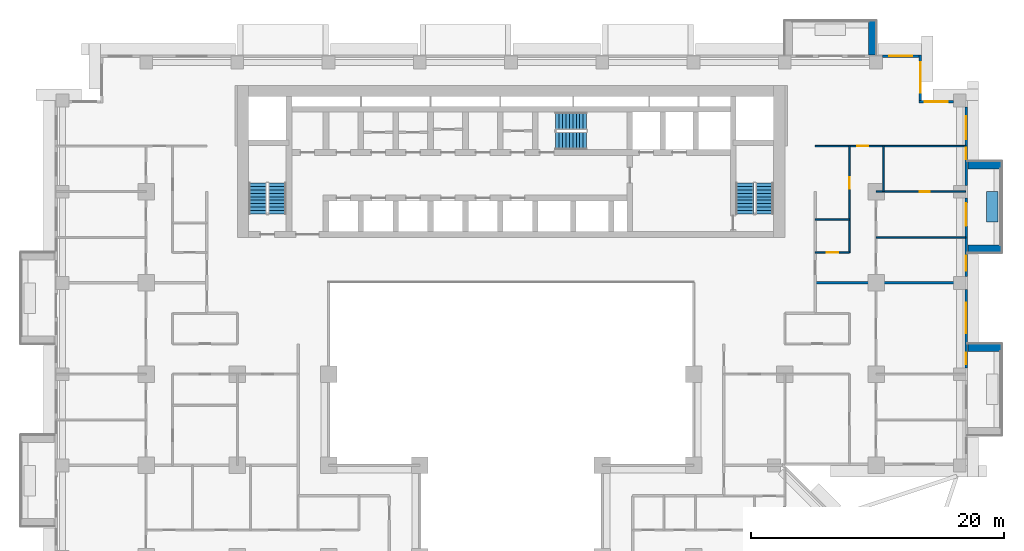
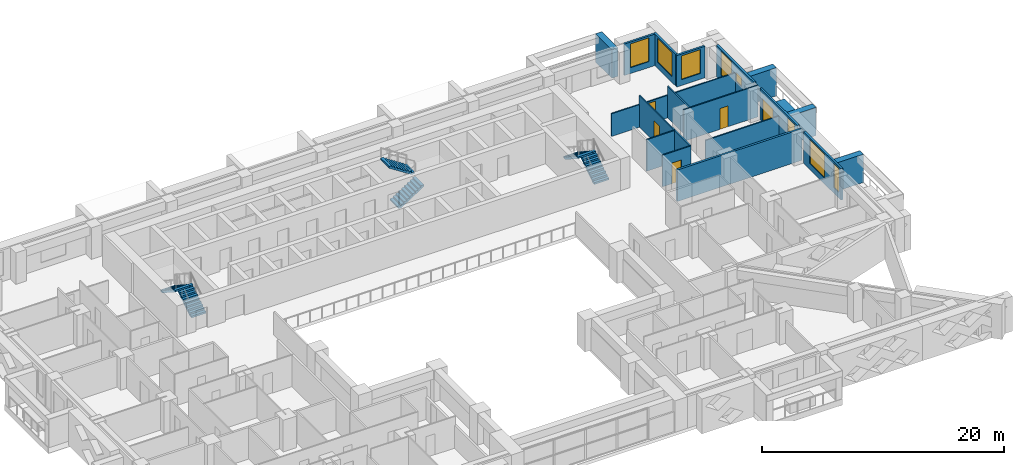
# One storey, part 12 of 16: 19 walls, 8 windows, 6 stair flights, 5 doors, 13 openings, 3 elements without a shape of their own.
"""IFC4 building model written with IfcOpenShell, lengths in metres."""

from ifc_helpers import new_model, si_unit, direction, frame, frame_2d, origin, place, context, subcontext, project, spatial, polyline, rectangle, outline, extrude, material, layer, layer_set, type_object, element, fill, aggregate, save


model = new_model("IFC4")

# Units and contexts
model_context = context("Model", 3, precision=1e-05, world=origin(), true_north=direction((0.0, 1.0)))
body_context = subcontext(model_context, "Body", "Model", "MODEL_VIEW")
ifc_project = project(units=[si_unit("LENGTHUNIT", "METRE"), si_unit("AREAUNIT", "SQUARE_METRE"), si_unit("VOLUMEUNIT", "CUBIC_METRE"), si_unit("PLANEANGLEUNIT", "RADIAN"), si_unit("MASSUNIT", "GRAM", prefix="KILO")], contexts=[model_context])

# Site, building, storey
site_placement = place(None, origin())
site = spatial("IfcSite", under=ifc_project, at=site_placement, CompositionType="ELEMENT")
building_placement = place(site_placement, origin())
building = spatial("IfcBuilding", under=site, at=building_placement, Name="Saffron Iwan Residences", CompositionType="ELEMENT")
storey_placement = place(building_placement, frame((0.0, 0.0, 65.5)))
storey = spatial("IfcBuildingStorey", under=building, at=storey_placement, Name="L16", CompositionType="ELEMENT", Elevation=65.5)

# Walls
ifc_material_1 = material(Name="Concrete C50/60 white painted", Category="concrete")
ifc_layer_1 = layer(ifc_material_1, 0.60009765625)
ifc_layer_set_1 = layer_set([ifc_layer_1], Name="Concrete C50/60 white painted")
wall_type_1 = type_object("IfcWallType", Name="BALCONY FIN 600", PredefinedType="SOLIDWALL", material=ifc_layer_set_1)
for number, where, z_axis, x_axis, name in (
    (1, (86.449951171875, 57.300048828125, 0.0), (0.0, 0.0, 1.0), (1.0, 0.0, 0.0), "Balcony fin L16 F2-0b"),
    (2, (86.449951171875, 65.10009765625, 0.0), (0.0, 0.0, 1.0), (1.0, 0.0, 0.0), "Balcony fin L16 F2-1a"),
    (3, (86.449951171875, 71.699951171875, 0.0), (0.0, 0.0, 1.0), (1.0, 0.0, 0.0), "Balcony fin L16 F2-1b"),
):
    element("IfcWall", number, at=place(storey_placement, frame(where, z_axis=z_axis, x_axis=x_axis)), inside=storey, type_object=wall_type_1, Name=name, PredefinedType="SOLIDWALL", context=body_context, shape_type="SweptSolid", body=[
        extrude(rectangle(XDim=2.650146484375, YDim=0.60009765625, at=frame_2d((1.3251953125, 0.0))), origin(), (0.0, 0.0, 1.0), 2.85009765625),
    ])
wall_1_placement = place(storey_placement, frame((78.89990234375, 80.39990234375, 0.0), z_axis=(0.0, 0.0, 1.0), x_axis=(0.0, 1.0, 0.0)))
element("IfcWall", 4, at=wall_1_placement, inside=storey, type_object=wall_type_1, Name="Balcony fin L16 F5-0a", PredefinedType="SOLIDWALL", context=body_context, shape_type="SweptSolid", body=[
    extrude(rectangle(XDim=2.7001953125, YDim=0.60009765625, at=frame_2d((1.35009765625, 0.0))), origin(), (0.0, 0.0, 1.0), 2.85009765625),
])
ifc_material_2 = material(Name="Concrete C35/45 white painted", Category="concrete")
ifc_layer_2 = layer(ifc_material_2, 0.14990234375)
ifc_layer_set_2 = layer_set([ifc_layer_2], Name="Concrete C35/45 white painted")
wall_type_2 = type_object("IfcWallType", Name="BALCONY PLANTER", PredefinedType="SOLIDWALL", material=ifc_layer_set_2)
wall_2_placement = place(storey_placement, frame((88.375, 67.199951171875, 0.0), z_axis=(0.0, 0.0, 1.0), x_axis=(0.0, 1.0, 0.0)))
element("IfcWall", 5, at=wall_2_placement, inside=storey, type_object=wall_type_2, Name="PLANTER L16 F2-1", PredefinedType="SOLIDWALL", context=body_context, shape_type="SweptSolid", body=[
    extrude(rectangle(XDim=2.400146484375, YDim=0.89990234375, at=frame_2d((1.2001953125, 0.0))), origin(), (0.0, 0.0, 1.0), 0.89990234375),
])

# Wall, openings, windows
ifc_material_3 = material(Name="Concrete C40/50", Category="concrete")
ifc_layer_3 = layer(ifc_material_3, 0.199951171875)
ifc_layer_set_3 = layer_set([ifc_layer_3], Name="Concrete C40/50")
wall_type_3 = type_object("IfcWallType", Name="EXTERNAL WALL 200", PredefinedType="SOLIDWALL", material=ifc_layer_set_3)
wall_3_placement = place(storey_placement, frame((86.300048828125, 55.699951171875, 0.0), z_axis=(0.0, 0.0, 1.0), x_axis=(0.0, 1.0, 0.0)))
wall_3 = element("IfcWall", 6, at=wall_3_placement, inside=storey, type_object=wall_type_3, Name="External wall L16 F2.1", PredefinedType="SOLIDWALL", context=body_context, shape_type="SweptSolid", body=[
    extrude(rectangle(XDim=6.199951171875, YDim=0.199951171875, at=frame_2d((3.10009765625, 0.0))), origin(), (0.0, 0.0, 1.0), 3.179931640625),
])
opening_1_placement = place(wall_3_placement, frame((0.300048828125, 0.0, 0.60009765625)))
opening_1 = element("IfcOpeningElement", 7, at=opening_1_placement, cuts=wall_3, Name="Opening W10", PredefinedType="OPENING", context=body_context, shape_type="SweptSolid", body=[
    extrude(rectangle(XDim=0.89990234375, YDim=2.39990234375, at=frame_2d((0.449951171875, 1.199951171875))), frame((0.0, 0.10986328125, 0.0), z_axis=(0.0, -1.0, 0.0), x_axis=(1.0, 0.0, 0.0)), (0.0, 0.0, 1.0), 0.219970703125),
])
opening_2_placement = place(wall_3_placement, frame((2.75, 0.0, 0.60009765625)))
opening_2 = element("IfcOpeningElement", 8, at=opening_2_placement, cuts=wall_3, Name="Opening W1", PredefinedType="OPENING", context=body_context, shape_type="SweptSolid", body=[
    extrude(rectangle(XDim=2.39990234375, YDim=2.39990234375, at=frame_2d((1.199951171875, 1.199951171875))), frame((0.0, 0.10986328125, 0.0), z_axis=(0.0, -1.0, 0.0), x_axis=(1.0, 0.0, 0.0)), (0.0, 0.0, 1.0), 0.219970703125),
])
ifc_material_4 = material(Name="Clear glass, laminated double glazed", Category="glass")
window_type_1 = type_object("IfcWindowType", Name="WINDOW 2400 x 2400", PartitioningType="DOUBLE_PANEL_VERTICAL", PredefinedType="WINDOW", material=ifc_material_4)
window_1_placement = place(opening_2_placement, origin())
window_1 = element("IfcWindow", 9, at=window_1_placement, inside=storey, type_object=window_type_1, Name="Window L16 F2.1", OverallHeight=2.39990234375, OverallWidth=2.39990234375, PartitioningType="DOUBLE_PANEL_VERTICAL", PredefinedType="WINDOW", context=body_context, shape_type="SweptSolid", body=[
    extrude(rectangle(XDim=2.39990234375, YDim=2.39990234375, at=frame_2d((1.199951171875, 1.199951171875))), frame((0.0, 0.030029296875, 0.0), z_axis=(0.0, -1.0, 0.0), x_axis=(1.0, 0.0, 0.0)), (0.0, 0.0, 1.0), 0.06005859375),
])
fill(opening_2, window_1)
window_type_2 = type_object("IfcWindowType", Name="WINDOW 900 x 2400", PartitioningType="SINGLE_PANEL", PredefinedType="WINDOW", material=ifc_material_4)
window_2_placement = place(opening_1_placement, origin())
window_2 = element("IfcWindow", 10, at=window_2_placement, inside=storey, type_object=window_type_2, Name="Window L16 F2.0", OverallHeight=2.39990234375, OverallWidth=0.89990234375, PartitioningType="SINGLE_PANEL", PredefinedType="WINDOW", context=body_context, shape_type="SweptSolid", body=[
    extrude(rectangle(XDim=0.89990234375, YDim=2.39990234375, at=frame_2d((0.449951171875, 1.199951171875))), frame((0.0, 0.030029296875, 0.0), z_axis=(0.0, -1.0, 0.0), x_axis=(1.0, 0.0, 0.0)), (0.0, 0.0, 1.0), 0.06005859375),
])
fill(opening_1, window_2)

# Wall, openings, door, window
wall_4_placement = place(storey_placement, frame((86.300048828125, 62.89990234375, 0.0), z_axis=(0.0, 0.0, 1.0), x_axis=(0.0, 1.0, 0.0)))
wall_4 = element("IfcWall", 11, at=wall_4_placement, inside=storey, type_object=wall_type_3, Name="External wall L16 F2.2", PredefinedType="SOLIDWALL", context=body_context, shape_type="SweptSolid", body=[
    extrude(rectangle(XDim=6.2001953125, YDim=0.199951171875, at=frame_2d((3.10009765625, 0.0))), origin(), (0.0, 0.0, 1.0), 3.179931640625),
])
opening_3_placement = place(wall_4_placement, frame((4.0, 0.0, 0.0)))
opening_3 = element("IfcOpeningElement", 12, at=opening_3_placement, cuts=wall_4, Name="Opening BD1", PredefinedType="OPENING", context=body_context, shape_type="SweptSolid", body=[
    extrude(rectangle(XDim=1.800048828125, YDim=2.39990234375, at=frame_2d((0.89990234375, 1.199951171875))), frame((0.0, 0.10986328125, 0.0), z_axis=(0.0, -1.0, 0.0), x_axis=(1.0, 0.0, 0.0)), (0.0, 0.0, 1.0), 0.219970703125),
])
opening_4_placement = place(wall_4_placement, frame((0.449951171875, 0.0, 0.60009765625)))
opening_4 = element("IfcOpeningElement", 13, at=opening_4_placement, cuts=wall_4, Name="Opening W3", PredefinedType="OPENING", context=body_context, shape_type="SweptSolid", body=[
    extrude(rectangle(XDim=1.199951171875, YDim=2.39990234375, at=frame_2d((0.60009765625, 1.199951171875))), frame((0.0, 0.10986328125, 0.0), z_axis=(0.0, -1.0, 0.0), x_axis=(1.0, 0.0, 0.0)), (0.0, 0.0, 1.0), 0.219970703125),
])
door_type_1 = type_object("IfcDoorType", Name="BALCONY DOOR 1800 x 2400", OperationType="DOUBLE_DOOR_SLIDING", PredefinedType="DOOR", material=ifc_material_4)
door_1_placement = place(opening_3_placement, origin())
door_1 = element("IfcDoor", 14, at=door_1_placement, inside=storey, type_object=door_type_1, Name="Balcony door L16 F2.0", OperationType="DOUBLE_DOOR_SLIDING", OverallHeight=2.39990234375, OverallWidth=1.800048828125, PredefinedType="DOOR", context=body_context, shape_type="SweptSolid", body=[
    extrude(rectangle(XDim=1.800048828125, YDim=2.39990234375, at=frame_2d((0.89990234375, 1.199951171875))), frame((0.0, 0.02490234375, 0.0), z_axis=(0.0, -1.0, 0.0), x_axis=(1.0, 0.0, 0.0)), (0.0, 0.0, 1.0), 0.050048828125),
])
fill(opening_3, door_1)
window_type_3 = type_object("IfcWindowType", Name="WINDOW 1200 x 2400", PartitioningType="SINGLE_PANEL", PredefinedType="WINDOW", material=ifc_material_4)
window_3_placement = place(opening_4_placement, origin())
window_3 = element("IfcWindow", 15, at=window_3_placement, inside=storey, type_object=window_type_3, Name="Window L16 F2.1", OverallHeight=2.39990234375, OverallWidth=1.199951171875, PartitioningType="SINGLE_PANEL", PredefinedType="WINDOW", context=body_context, shape_type="SweptSolid", body=[
    extrude(rectangle(XDim=1.199951171875, YDim=2.39990234375, at=frame_2d((0.60009765625, 1.199951171875))), frame((0.0, 0.030029296875, 0.0), z_axis=(0.0, -1.0, 0.0), x_axis=(1.0, 0.0, 0.0)), (0.0, 0.0, 1.0), 0.06005859375),
])
fill(opening_4, window_3)

# Wall, openings, windows
wall_5_placement = place(storey_placement, frame((86.300048828125, 70.10009765625, 0.0), z_axis=(0.0, 0.0, 1.0), x_axis=(0.0, 1.0, 0.0)))
wall_5 = element("IfcWall", 16, at=wall_5_placement, inside=storey, type_object=wall_type_3, Name="External wall L16 F2.3", PredefinedType="SOLIDWALL", context=body_context, shape_type="SweptSolid", body=[
    extrude(rectangle(XDim=6.199951171875, YDim=0.199951171875, at=frame_2d((3.10009765625, 0.0))), origin(), (0.0, 0.0, 1.0), 3.179931640625),
])
opening_5_placement = place(wall_5_placement, frame((2.050048828125, 0.0, 1.5)))
opening_5 = element("IfcOpeningElement", 17, at=opening_5_placement, cuts=wall_5, Name="Opening W6", PredefinedType="OPENING", context=body_context, shape_type="SweptSolid", body=[
    extrude(rectangle(XDim=0.89990234375, YDim=0.89990234375, at=frame_2d((0.449951171875, 0.449951171875))), frame((0.0, 0.10986328125, 0.0), z_axis=(0.0, -1.0, 0.0), x_axis=(1.0, 0.0, 0.0)), (0.0, 0.0, 1.0), 0.219970703125),
])
opening_6_placement = place(wall_5_placement, frame((3.64990234375, 0.0, 0.60009765625)))
opening_6 = element("IfcOpeningElement", 18, at=opening_6_placement, cuts=wall_5, Name="Opening W8", PredefinedType="OPENING", context=body_context, shape_type="SweptSolid", body=[
    extrude(rectangle(XDim=1.800048828125, YDim=2.39990234375, at=frame_2d((0.89990234375, 1.199951171875))), frame((0.0, 0.10986328125, 0.0), z_axis=(0.0, -1.0, 0.0), x_axis=(1.0, 0.0, 0.0)), (0.0, 0.0, 1.0), 0.219970703125),
])
window_type_4 = type_object("IfcWindowType", Name="WINDOW 1800 x 2400", PartitioningType="DOUBLE_PANEL_VERTICAL", PredefinedType="WINDOW", material=ifc_material_4)
window_4_placement = place(opening_6_placement, origin())
window_4 = element("IfcWindow", 19, at=window_4_placement, inside=storey, type_object=window_type_4, Name="Window L16 F2.1", OverallHeight=2.39990234375, OverallWidth=1.800048828125, PartitioningType="DOUBLE_PANEL_VERTICAL", PredefinedType="WINDOW", context=body_context, shape_type="SweptSolid", body=[
    extrude(rectangle(XDim=1.800048828125, YDim=2.39990234375, at=frame_2d((0.89990234375, 1.199951171875))), frame((0.0, 0.030029296875, 0.0), z_axis=(0.0, -1.0, 0.0), x_axis=(1.0, 0.0, 0.0)), (0.0, 0.0, 1.0), 0.06005859375),
])
fill(opening_6, window_4)
window_type_5 = type_object("IfcWindowType", Name="WINDOW 900 x 900 BATH", PartitioningType="SINGLE_PANEL", PredefinedType="WINDOW", material=ifc_material_4)
window_5_placement = place(opening_5_placement, origin())
window_5 = element("IfcWindow", 20, at=window_5_placement, inside=storey, type_object=window_type_5, Name="Window L16 F2.0", OverallHeight=0.89990234375, OverallWidth=0.89990234375, PartitioningType="SINGLE_PANEL", PredefinedType="WINDOW", context=body_context, shape_type="SweptSolid", body=[
    extrude(rectangle(XDim=0.89990234375, YDim=0.89990234375, at=frame_2d((0.449951171875, 0.449951171875))), frame((0.0, 0.030029296875, 0.0), z_axis=(0.0, -1.0, 0.0), x_axis=(1.0, 0.0, 0.0)), (0.0, 0.0, 1.0), 0.06005859375),
])
fill(opening_5, window_5)

# Wall, opening, window
wall_6_placement = place(storey_placement, frame((85.300048828125, 76.699951171875, 0.0), z_axis=(0.0, 0.0, 1.0), x_axis=(-1.0, 0.0, 0.0)))
wall_6 = element("IfcWall", 21, at=wall_6_placement, inside=storey, type_object=wall_type_3, Name="External wall L16 F3.0", PredefinedType="SOLIDWALL", context=body_context, shape_type="SweptSolid", body=[
    extrude(rectangle(XDim=2.699951171875, YDim=0.199951171875, at=frame_2d((1.35009765625, 0.0))), origin(), (0.0, 0.0, 1.0), 3.179931640625),
])
opening_7_placement = place(wall_6_placement, frame((0.449951171875, 0.0, 0.60009765625)))
opening_7 = element("IfcOpeningElement", 22, at=opening_7_placement, cuts=wall_6, Name="Opening W8", PredefinedType="OPENING", context=body_context, shape_type="SweptSolid", body=[
    extrude(rectangle(XDim=1.800048828125, YDim=2.39990234375, at=frame_2d((0.89990234375, 1.199951171875))), frame((0.0, 0.10986328125, 0.0), z_axis=(0.0, -1.0, 0.0), x_axis=(1.0, 0.0, 0.0)), (0.0, 0.0, 1.0), 0.219970703125),
])
window_6_placement = place(opening_7_placement, origin())
window_6 = element("IfcWindow", 23, at=window_6_placement, inside=storey, type_object=window_type_4, Name="Window L16 F3.0", OverallHeight=2.39990234375, OverallWidth=1.800048828125, PartitioningType="DOUBLE_PANEL_VERTICAL", PredefinedType="WINDOW", context=body_context, shape_type="SweptSolid", body=[
    extrude(rectangle(XDim=1.800048828125, YDim=2.39990234375, at=frame_2d((0.89990234375, 1.199951171875))), frame((0.0, 0.030029296875, 0.0), z_axis=(0.0, -1.0, 0.0), x_axis=(1.0, 0.0, 0.0)), (0.0, 0.0, 1.0), 0.06005859375),
])
fill(opening_7, window_6)

wall_7_placement = place(storey_placement, frame((82.699951171875, 76.800048828125, 0.0), z_axis=(0.0, 0.0, 1.0), x_axis=(0.0, 1.0, 0.0)))
wall_7 = element("IfcWall", 24, at=wall_7_placement, inside=storey, type_object=wall_type_3, Name="External wall L16 F4.0", PredefinedType="SOLIDWALL", context=body_context, shape_type="SweptSolid", body=[
    extrude(rectangle(XDim=3.599853515625, YDim=0.199951171875, at=frame_2d((1.7998046875, 0.0))), origin(), (0.0, 0.0, 1.0), 3.179931640625),
])
opening_8_placement = place(wall_7_placement, frame((0.60009765625, 0.0, 0.60009765625)))
opening_8 = element("IfcOpeningElement", 25, at=opening_8_placement, cuts=wall_7, Name="Opening W1", PredefinedType="OPENING", context=body_context, shape_type="SweptSolid", body=[
    extrude(rectangle(XDim=2.39990234375, YDim=2.39990234375, at=frame_2d((1.199951171875, 1.199951171875))), frame((0.0, 0.10986328125, 0.0), z_axis=(0.0, -1.0, 0.0), x_axis=(1.0, 0.0, 0.0)), (0.0, 0.0, 1.0), 0.219970703125),
])
window_7_placement = place(opening_8_placement, origin())
window_7 = element("IfcWindow", 26, at=window_7_placement, inside=storey, type_object=window_type_1, Name="Window L16 F4.0", OverallHeight=2.39990234375, OverallWidth=2.39990234375, PartitioningType="DOUBLE_PANEL_VERTICAL", PredefinedType="WINDOW", context=body_context, shape_type="SweptSolid", body=[
    extrude(rectangle(XDim=2.39990234375, YDim=2.39990234375, at=frame_2d((1.199951171875, 1.199951171875))), frame((0.0, 0.030029296875, 0.0), z_axis=(0.0, -1.0, 0.0), x_axis=(1.0, 0.0, 0.0)), (0.0, 0.0, 1.0), 0.06005859375),
])
fill(opening_8, window_7)

wall_8_placement = place(storey_placement, frame((82.60009765625, 80.300048828125, 0.0), z_axis=(0.0, 0.0, 1.0), x_axis=(-1.0, 0.0, 0.0)))
wall_8 = element("IfcWall", 27, at=wall_8_placement, inside=storey, type_object=wall_type_3, Name="External wall L16 F5.0", PredefinedType="SOLIDWALL", context=body_context, shape_type="SweptSolid", body=[
    extrude(rectangle(XDim=2.900146484375, YDim=0.199951171875, at=frame_2d((1.4501953125, 0.0))), origin(), (0.0, 0.0, 1.0), 3.179931640625),
])
opening_9_placement = place(wall_8_placement, frame((0.550048828125, 0.0, 0.60009765625)))
opening_9 = element("IfcOpeningElement", 28, at=opening_9_placement, cuts=wall_8, Name="Opening W8", PredefinedType="OPENING", context=body_context, shape_type="SweptSolid", body=[
    extrude(rectangle(XDim=1.800048828125, YDim=2.39990234375, at=frame_2d((0.89990234375, 1.199951171875))), frame((0.0, 0.10986328125, 0.0), z_axis=(0.0, -1.0, 0.0), x_axis=(1.0, 0.0, 0.0)), (0.0, 0.0, 1.0), 0.219970703125),
])
window_8_placement = place(opening_9_placement, origin())
window_8 = element("IfcWindow", 29, at=window_8_placement, inside=storey, type_object=window_type_4, Name="Window L16 F5.0", OverallHeight=2.39990234375, OverallWidth=1.800048828125, PartitioningType="DOUBLE_PANEL_VERTICAL", PredefinedType="WINDOW", context=body_context, shape_type="SweptSolid", body=[
    extrude(rectangle(XDim=1.800048828125, YDim=2.39990234375, at=frame_2d((0.89990234375, 1.199951171875))), frame((0.0, 0.030029296875, 0.0), z_axis=(0.0, -1.0, 0.0), x_axis=(1.0, 0.0, 0.0)), (0.0, 0.0, 1.0), 0.06005859375),
])
fill(opening_9, window_8)

# Wall
ifc_material_5 = material(Name="Fire-rated gypsum board wall")
ifc_layer_4 = layer(ifc_material_5, 0.199951171875)
ifc_layer_set_4 = layer_set([ifc_layer_4], Name="Fire-rated gypsum board wall")
wall_type_4 = type_object("IfcWallType", Name="Flat demising wall 200", PredefinedType="SOLIDWALL", material=ifc_layer_set_4)
wall_9_placement = place(storey_placement, frame((74.39990234375, 62.39990234375, 0.0), z_axis=(0.0, 0.0, 1.0), x_axis=(1.0, 0.0, 0.0)))
element("IfcWall", 30, at=wall_9_placement, inside=storey, type_object=wall_type_4, Name="W-L16-DEMISE-h62.4-74.4", PredefinedType="SOLIDWALL", context=body_context, shape_type="SweptSolid", body=[
    extrude(rectangle(XDim=11.875, YDim=0.199951171875, at=frame_2d((5.9375, 0.0))), origin(), (0.0, 0.0, 1.0), 3.179931640625),
])

# Wall, opening, door
ifc_material_6 = material(Name="Gypsum board partition")
ifc_layer_5 = layer(ifc_material_6, 0.1201171875)
ifc_layer_set_5 = layer_set([ifc_layer_5], Name="Gypsum board partition")
wall_type_5 = type_object("IfcWallType", Name="Flat partition 120", PredefinedType="PARTITIONING", material=ifc_layer_set_5)
wall_10_placement = place(storey_placement, frame((74.39990234375, 64.800048828125, 0.0), z_axis=(0.0, 0.0, 1.0), x_axis=(1.0, 0.0, 0.0)))
wall_10 = element("IfcWall", 31, at=wall_10_placement, inside=storey, type_object=wall_type_5, Name="W-L16-PART-h64.8-74.4", PredefinedType="PARTITIONING", context=body_context, shape_type="SweptSolid", body=[
    extrude(rectangle(XDim=2.7001953125, YDim=0.1201171875, at=frame_2d((1.35009765625, 0.0))), origin(), (0.0, 0.0, 1.0), 3.179931640625),
])
opening_10_placement = place(wall_10_placement, frame((0.89990234375, 0.0, 0.0)))
opening_10 = element("IfcOpeningElement", 32, at=opening_10_placement, cuts=wall_10, Name="Opening FD2", PredefinedType="OPENING", context=body_context, shape_type="SweptSolid", body=[
    extrude(rectangle(XDim=0.89990234375, YDim=2.10009765625, at=frame_2d((0.449951171875, 1.050048828125))), frame((0.0, 0.070068359375, 0.0), z_axis=(0.0, -1.0, 0.0), x_axis=(1.0, 0.0, 0.0)), (0.0, 0.0, 1.0), 0.14013671875),
])
ifc_material_7 = material(Name="Timber door", Category="wood")
door_type_2 = type_object("IfcDoorType", Name="Flat door 900", OperationType="NOTDEFINED", PredefinedType="DOOR", material=ifc_material_7)
door_2_placement = place(opening_10_placement, origin())
door_2 = element("IfcDoor", 33, at=door_2_placement, inside=storey, type_object=door_type_2, Name="Door L16-039", OperationType="SINGLE_SWING_RIGHT", OverallHeight=2.10009765625, OverallWidth=0.89990234375, PredefinedType="DOOR", context=body_context, shape_type="SweptSolid", body=[
    extrude(rectangle(XDim=0.89990234375, YDim=2.10009765625, at=frame_2d((0.449951171875, 1.050048828125))), frame((0.0, 0.02490234375, 0.0), z_axis=(0.0, -1.0, 0.0), x_axis=(1.0, 0.0, 0.0)), (0.0, 0.0, 1.0), 0.050048828125),
])
fill(opening_10, door_2)

# Walls
wall_11_placement = place(storey_placement, frame((79.199951171875, 66.0, 0.0), z_axis=(0.0, 0.0, 1.0), x_axis=(1.0, 0.0, 0.0)))
element("IfcWall", 34, at=wall_11_placement, inside=storey, type_object=wall_type_5, Name="W-L16-PART-h66-79.2", PredefinedType="PARTITIONING", context=body_context, shape_type="SweptSolid", body=[
    extrude(rectangle(XDim=7.074951171875, YDim=0.1201171875, at=frame_2d((3.53759765625, 0.0))), origin(), (0.0, 0.0, 1.0), 2.280029296875),
])
wall_12_placement = place(storey_placement, frame((74.39990234375, 67.39990234375, 0.0), z_axis=(0.0, 0.0, 1.0), x_axis=(1.0, 0.0, 0.0)))
element("IfcWall", 35, at=wall_12_placement, inside=storey, type_object=wall_type_5, Name="W-L16-PART-h67.4-74.4", PredefinedType="PARTITIONING", context=body_context, shape_type="SweptSolid", body=[
    extrude(rectangle(XDim=2.7001953125, YDim=0.1201171875, at=frame_2d((1.35009765625, 0.0))), origin(), (0.0, 0.0, 1.0), 3.179931640625),
])

# Wall, opening, door
wall_13_placement = place(storey_placement, frame((79.199951171875, 69.60009765625, 0.0), z_axis=(0.0, 0.0, 1.0), x_axis=(1.0, 0.0, 0.0)))
wall_13 = element("IfcWall", 36, at=wall_13_placement, inside=storey, type_object=wall_type_5, Name="W-L16-PART-h69.6-79.2", PredefinedType="PARTITIONING", context=body_context, shape_type="SweptSolid", body=[
    extrude(rectangle(XDim=7.074951171875, YDim=0.1201171875, at=frame_2d((3.53759765625, 0.0))), origin(), (0.0, 0.0, 1.0), 3.179931640625),
])
opening_11_placement = place(wall_13_placement, frame((3.4375, 0.0, 0.0)))
opening_11 = element("IfcOpeningElement", 37, at=opening_11_placement, cuts=wall_13, Name="Opening FD3", PredefinedType="OPENING", context=body_context, shape_type="SweptSolid", body=[
    extrude(rectangle(XDim=0.800048828125, YDim=2.10009765625, at=frame_2d((0.39990234375, 1.050048828125))), frame((0.0, 0.070068359375, 0.0), z_axis=(0.0, -1.0, 0.0), x_axis=(1.0, 0.0, 0.0)), (0.0, 0.0, 1.0), 0.14013671875),
])
door_type_3 = type_object("IfcDoorType", Name="Bathroom door 800", OperationType="NOTDEFINED", PredefinedType="DOOR", material=ifc_material_7)
door_3_placement = place(opening_11_placement, origin())
door_3 = element("IfcDoor", 38, at=door_3_placement, inside=storey, type_object=door_type_3, Name="Door L16-037", OperationType="SINGLE_SWING_LEFT", OverallHeight=2.10009765625, OverallWidth=0.800048828125, PredefinedType="DOOR", context=body_context, shape_type="SweptSolid", body=[
    extrude(rectangle(XDim=0.800048828125, YDim=2.10009765625, at=frame_2d((0.39990234375, 1.050048828125))), frame((0.0, 0.02490234375, 0.0), z_axis=(0.0, -1.0, 0.0), x_axis=(1.0, 0.0, 0.0)), (0.0, 0.0, 1.0), 0.050048828125),
])
fill(opening_11, door_3)

wall_14_placement = place(storey_placement, frame((74.39990234375, 73.199951171875, 0.0), z_axis=(0.0, 0.0, 1.0), x_axis=(1.0, 0.0, 0.0)))
wall_14 = element("IfcWall", 39, at=wall_14_placement, inside=storey, type_object=wall_type_5, Name="W-L16-PART-h73.2-74.4", PredefinedType="PARTITIONING", context=body_context, shape_type="SweptSolid", body=[
    extrude(rectangle(XDim=11.875, YDim=0.1201171875, at=frame_2d((5.9375, 0.0))), origin(), (0.0, 0.0, 1.0), 2.280029296875),
])
opening_12_placement = place(wall_14_placement, frame((3.300048828125, 0.0, 0.0)))
opening_12 = element("IfcOpeningElement", 40, at=opening_12_placement, cuts=wall_14, Name="Opening FD2", PredefinedType="OPENING", context=body_context, shape_type="SweptSolid", body=[
    extrude(rectangle(XDim=0.89990234375, YDim=2.10009765625, at=frame_2d((0.449951171875, 1.050048828125))), frame((0.0, 0.070068359375, 0.0), z_axis=(0.0, -1.0, 0.0), x_axis=(1.0, 0.0, 0.0)), (0.0, 0.0, 1.0), 0.14013671875),
])
door_4_placement = place(opening_12_placement, origin())
door_4 = element("IfcDoor", 41, at=door_4_placement, inside=storey, type_object=door_type_2, Name="Door L16-038", OperationType="SINGLE_SWING_LEFT", OverallHeight=2.10009765625, OverallWidth=0.89990234375, PredefinedType="DOOR", context=body_context, shape_type="SweptSolid", body=[
    extrude(rectangle(XDim=0.89990234375, YDim=2.10009765625, at=frame_2d((0.449951171875, 1.050048828125))), frame((0.0, 0.02490234375, 0.0), z_axis=(0.0, -1.0, 0.0), x_axis=(1.0, 0.0, 0.0)), (0.0, 0.0, 1.0), 0.050048828125),
])
fill(opening_12, door_4)

wall_15_placement = place(storey_placement, frame((77.10009765625, 64.800048828125, 0.0), z_axis=(0.0, 0.0, 1.0), x_axis=(0.0, 1.0, 0.0)))
wall_15 = element("IfcWall", 42, at=wall_15_placement, inside=storey, type_object=wall_type_5, Name="W-L16-PART-v77.1-64.8", PredefinedType="PARTITIONING", context=body_context, shape_type="SweptSolid", body=[
    extrude(rectangle(XDim=8.39990234375, YDim=0.1201171875, at=frame_2d((4.199951171875, 0.0))), origin(), (0.0, 0.0, 1.0), 3.179931640625),
])
opening_13_placement = place(wall_15_placement, frame((5.050048828125, 0.0, 0.0)))
opening_13 = element("IfcOpeningElement", 43, at=opening_13_placement, cuts=wall_15, Name="Opening FD2", PredefinedType="OPENING", context=body_context, shape_type="SweptSolid", body=[
    extrude(rectangle(XDim=0.89990234375, YDim=2.10009765625, at=frame_2d((0.449951171875, 1.050048828125))), frame((0.0, 0.070068359375, 0.0), z_axis=(0.0, -1.0, 0.0), x_axis=(1.0, 0.0, 0.0)), (0.0, 0.0, 1.0), 0.14013671875),
])
door_5_placement = place(opening_13_placement, origin())
door_5 = element("IfcDoor", 44, at=door_5_placement, inside=storey, type_object=door_type_2, Name="Door L16-040", OperationType="SINGLE_SWING_LEFT", OverallHeight=2.10009765625, OverallWidth=0.89990234375, PredefinedType="DOOR", context=body_context, shape_type="SweptSolid", body=[
    extrude(rectangle(XDim=0.89990234375, YDim=2.10009765625, at=frame_2d((0.449951171875, 1.050048828125))), frame((0.0, 0.02490234375, 0.0), z_axis=(0.0, -1.0, 0.0), x_axis=(1.0, 0.0, 0.0)), (0.0, 0.0, 1.0), 0.050048828125),
])
fill(opening_13, door_5)

# Wall
wall_16_placement = place(storey_placement, frame((79.800048828125, 69.60009765625, 0.0), z_axis=(0.0, 0.0, 1.0), x_axis=(0.0, 1.0, 0.0)))
element("IfcWall", 45, at=wall_16_placement, inside=storey, type_object=wall_type_5, Name="W-L16-PART-v79.8-69.6", PredefinedType="PARTITIONING", context=body_context, shape_type="SweptSolid", body=[
    extrude(rectangle(XDim=3.599853515625, YDim=0.1201171875, at=frame_2d((1.7998046875, 0.0))), origin(), (0.0, 0.0, 1.0), 3.179931640625),
])

# Stair, stair flights
ifc_material_8 = material(Name="Concrete C50/60", Category="concrete")
stair_type = type_object("IfcStairType", Name="Stair ST-CORE", PredefinedType="HALF_TURN_STAIR", material=ifc_material_8)
stair_1_placement = place(storey_placement, origin())
stair_1 = element("IfcStair", 46, at=stair_1_placement, inside=storey, type_object=stair_type, Name="L16 Exit Stair ST-W", PredefinedType="HALF_TURN_STAIR")
ifc_layer_6 = layer(ifc_material_8, 0.14990234375)
ifc_layer_set_6 = layer_set([ifc_layer_6], Name="Concrete C50/60")
stair_flight_type = type_object("IfcStairFlightType", Name="Stair flight SFL-RC", PredefinedType="STRAIGHT", material=ifc_layer_set_6)
stair_flight_1_placement = place(storey_placement, frame((31.949951171875, 67.85009765625, 0.0), z_axis=(0.0, 0.0, 1.0), x_axis=(0.0, 1.0, 0.0)))
stair_flight_1 = element("IfcStairFlight", 47, at=stair_flight_1_placement, type_object=stair_flight_type, Name="ST-W flight 1", NumberOfRisers=10, NumberOfTreads=9, PredefinedType="STRAIGHT", RiserHeight=0.175, TreadLength=0.27, context=body_context, shape_type="SweptSolid", body=[
    extrude(outline(polyline([(0.0, 0.0), (0.0, 0.175048828125), (0.27001953125, 0.175048828125), (0.27001953125, 0.35009765625), (0.5400390625, 0.35009765625), (0.5400390625, 0.52490234375), (0.81005859375, 0.52490234375), (0.81005859375, 0.699951171875), (1.080078125, 0.699951171875), (1.080078125, 0.875), (1.35009765625, 0.875), (1.35009765625, 1.050048828125), (1.6201171875, 1.050048828125), (1.6201171875, 1.22509765625), (1.889892578125, 1.22509765625), (1.889892578125, 1.39990234375), (2.159912109375, 1.39990234375), (2.159912109375, 1.574951171875), (2.429931640625, 1.574951171875), (2.429931640625, 1.75), (2.429931640625, 1.396484375), (0.275634765625, 0.0), (0.0, 0.0)])), frame((0.0, 0.699951171875, 0.0), z_axis=(0.0, -1.0, 0.0), x_axis=(1.0, 0.0, 0.0)), (0.0, 0.0, 1.0), 1.39990234375),
])
stair_flight_2_placement = place(storey_placement, frame((30.39990234375, 70.280029296875, 1.75), z_axis=(0.0, 0.0, 1.0), x_axis=(0.0, -1.0, 0.0)))
stair_flight_2 = element("IfcStairFlight", 48, at=stair_flight_2_placement, type_object=stair_flight_type, Name="ST-W flight 2", NumberOfRisers=10, NumberOfTreads=9, PredefinedType="STRAIGHT", RiserHeight=0.175, TreadLength=0.27, context=body_context, shape_type="SweptSolid", body=[
    extrude(outline(polyline([(0.0, 0.0), (0.0, 0.175048828125), (0.27001953125, 0.175048828125), (0.27001953125, 0.35009765625), (0.5400390625, 0.35009765625), (0.5400390625, 0.52490234375), (0.81005859375, 0.52490234375), (0.81005859375, 0.699951171875), (1.080078125, 0.699951171875), (1.080078125, 0.875), (1.35009765625, 0.875), (1.35009765625, 1.050048828125), (1.6201171875, 1.050048828125), (1.6201171875, 1.22509765625), (1.889892578125, 1.22509765625), (1.889892578125, 1.39990234375), (2.159912109375, 1.39990234375), (2.159912109375, 1.574951171875), (2.429931640625, 1.574951171875), (2.429931640625, 1.75), (2.429931640625, 1.396484375), (0.275634765625, 0.0), (0.0, 0.0)])), frame((0.0, 0.699951171875, 0.0), z_axis=(0.0, -1.0, 0.0), x_axis=(1.0, 0.0, 0.0)), (0.0, 0.0, 1.0), 1.39990234375),
])
aggregate(stair_1, [stair_flight_1, stair_flight_2])

stair_2_placement = place(storey_placement, origin())
stair_2 = element("IfcStair", 49, at=stair_2_placement, inside=storey, type_object=stair_type, Name="L16 Exit Stair ST-C", PredefinedType="HALF_TURN_STAIR")
stair_flight_3_placement = place(storey_placement, frame((53.925048828125, 73.625, 0.0), z_axis=(0.0, 0.0, 1.0), x_axis=(1.0, 0.0, 0.0)))
stair_flight_3 = element("IfcStairFlight", 50, at=stair_flight_3_placement, type_object=stair_flight_type, Name="ST-C flight 1", NumberOfRisers=10, NumberOfTreads=9, PredefinedType="STRAIGHT", RiserHeight=0.175, TreadLength=0.27, context=body_context, shape_type="SweptSolid", body=[
    extrude(outline(polyline([(0.0, 0.0), (0.0, 0.175048828125), (0.27001953125, 0.175048828125), (0.27001953125, 0.35009765625), (0.5400390625, 0.35009765625), (0.5400390625, 0.52490234375), (0.81005859375, 0.52490234375), (0.81005859375, 0.699951171875), (1.080078125, 0.699951171875), (1.080078125, 0.875), (1.35009765625, 0.875), (1.35009765625, 1.050048828125), (1.6201171875, 1.050048828125), (1.6201171875, 1.22509765625), (1.889892578125, 1.22509765625), (1.889892578125, 1.39990234375), (2.159912109375, 1.39990234375), (2.159912109375, 1.574951171875), (2.429931640625, 1.574951171875), (2.429931640625, 1.75), (2.429931640625, 1.396484375), (0.275634765625, 0.0), (0.0, 0.0)])), frame((0.0, 0.699951171875, 0.0), z_axis=(0.0, -1.0, 0.0), x_axis=(1.0, 0.0, 0.0)), (0.0, 0.0, 1.0), 1.39990234375),
])
stair_flight_4_placement = place(storey_placement, frame((56.35498046875, 75.175048828125, 1.75), z_axis=(0.0, 0.0, 1.0), x_axis=(-1.0, 0.0, 0.0)))
stair_flight_4 = element("IfcStairFlight", 51, at=stair_flight_4_placement, type_object=stair_flight_type, Name="ST-C flight 2", NumberOfRisers=10, NumberOfTreads=9, PredefinedType="STRAIGHT", RiserHeight=0.175, TreadLength=0.27, context=body_context, shape_type="SweptSolid", body=[
    extrude(outline(polyline([(0.0, 0.0), (0.0, 0.175048828125), (0.27001953125, 0.175048828125), (0.27001953125, 0.35009765625), (0.5400390625, 0.35009765625), (0.5400390625, 0.52490234375), (0.81005859375, 0.52490234375), (0.81005859375, 0.699951171875), (1.080078125, 0.699951171875), (1.080078125, 0.875), (1.35009765625, 0.875), (1.35009765625, 1.050048828125), (1.6201171875, 1.050048828125), (1.6201171875, 1.22509765625), (1.889892578125, 1.22509765625), (1.889892578125, 1.39990234375), (2.159912109375, 1.39990234375), (2.159912109375, 1.574951171875), (2.429931640625, 1.574951171875), (2.429931640625, 1.75), (2.429931640625, 1.396484375), (0.275634765625, 0.0), (0.0, 0.0)])), frame((0.0, 0.699951171875, 0.0), z_axis=(0.0, -1.0, 0.0), x_axis=(1.0, 0.0, 0.0)), (0.0, 0.0, 1.0), 1.39990234375),
])
aggregate(stair_2, [stair_flight_3, stair_flight_4])

stair_3_placement = place(storey_placement, origin())
stair_3 = element("IfcStair", 52, at=stair_3_placement, inside=storey, type_object=stair_type, Name="L16 Exit Stair ST-E", PredefinedType="HALF_TURN_STAIR")
stair_flight_5_placement = place(storey_placement, frame((70.39990234375, 67.85009765625, 0.0), z_axis=(0.0, 0.0, 1.0), x_axis=(0.0, 1.0, 0.0)))
stair_flight_5 = element("IfcStairFlight", 53, at=stair_flight_5_placement, type_object=stair_flight_type, Name="ST-E flight 1", NumberOfRisers=10, NumberOfTreads=9, PredefinedType="STRAIGHT", RiserHeight=0.175, TreadLength=0.27, context=body_context, shape_type="SweptSolid", body=[
    extrude(outline(polyline([(0.0, 0.0), (0.0, 0.175048828125), (0.27001953125, 0.175048828125), (0.27001953125, 0.35009765625), (0.5400390625, 0.35009765625), (0.5400390625, 0.52490234375), (0.81005859375, 0.52490234375), (0.81005859375, 0.699951171875), (1.080078125, 0.699951171875), (1.080078125, 0.875), (1.35009765625, 0.875), (1.35009765625, 1.050048828125), (1.6201171875, 1.050048828125), (1.6201171875, 1.22509765625), (1.889892578125, 1.22509765625), (1.889892578125, 1.39990234375), (2.159912109375, 1.39990234375), (2.159912109375, 1.574951171875), (2.429931640625, 1.574951171875), (2.429931640625, 1.75), (2.429931640625, 1.396484375), (0.275634765625, 0.0), (0.0, 0.0)])), frame((0.0, 0.699951171875, 0.0), z_axis=(0.0, -1.0, 0.0), x_axis=(1.0, 0.0, 0.0)), (0.0, 0.0, 1.0), 1.39990234375),
])
stair_flight_6_placement = place(storey_placement, frame((68.85009765625, 70.280029296875, 1.75), z_axis=(0.0, 0.0, 1.0), x_axis=(0.0, -1.0, 0.0)))
stair_flight_6 = element("IfcStairFlight", 54, at=stair_flight_6_placement, type_object=stair_flight_type, Name="ST-E flight 2", NumberOfRisers=10, NumberOfTreads=9, PredefinedType="STRAIGHT", RiserHeight=0.175, TreadLength=0.27, context=body_context, shape_type="SweptSolid", body=[
    extrude(outline(polyline([(0.0, 0.0), (0.0, 0.175048828125), (0.27001953125, 0.175048828125), (0.27001953125, 0.35009765625), (0.5400390625, 0.35009765625), (0.5400390625, 0.52490234375), (0.81005859375, 0.52490234375), (0.81005859375, 0.699951171875), (1.080078125, 0.699951171875), (1.080078125, 0.875), (1.35009765625, 0.875), (1.35009765625, 1.050048828125), (1.6201171875, 1.050048828125), (1.6201171875, 1.22509765625), (1.889892578125, 1.22509765625), (1.889892578125, 1.39990234375), (2.159912109375, 1.39990234375), (2.159912109375, 1.574951171875), (2.429931640625, 1.574951171875), (2.429931640625, 1.75), (2.429931640625, 1.396484375), (0.275634765625, 0.0), (0.0, 0.0)])), frame((0.0, 0.699951171875, 0.0), z_axis=(0.0, -1.0, 0.0), x_axis=(1.0, 0.0, 0.0)), (0.0, 0.0, 1.0), 1.39990234375),
])
aggregate(stair_3, [stair_flight_5, stair_flight_6])

save(model, "model.ifc")
